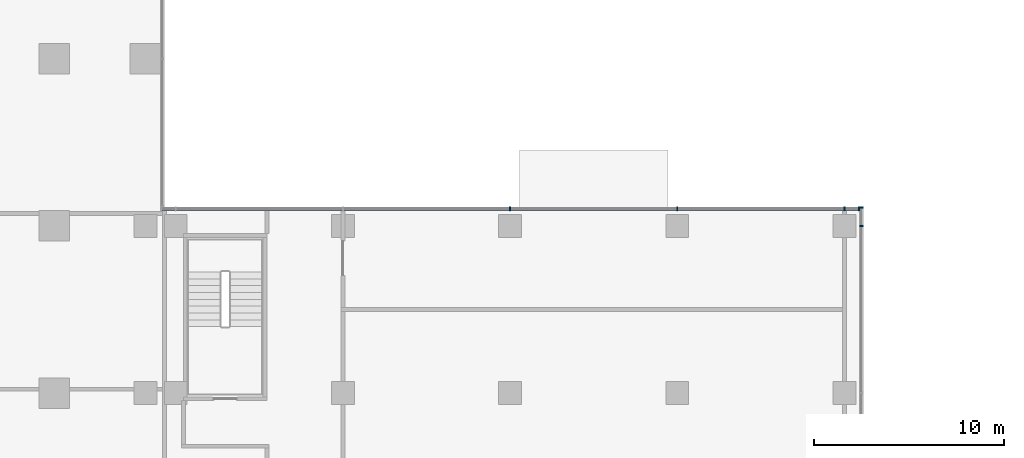
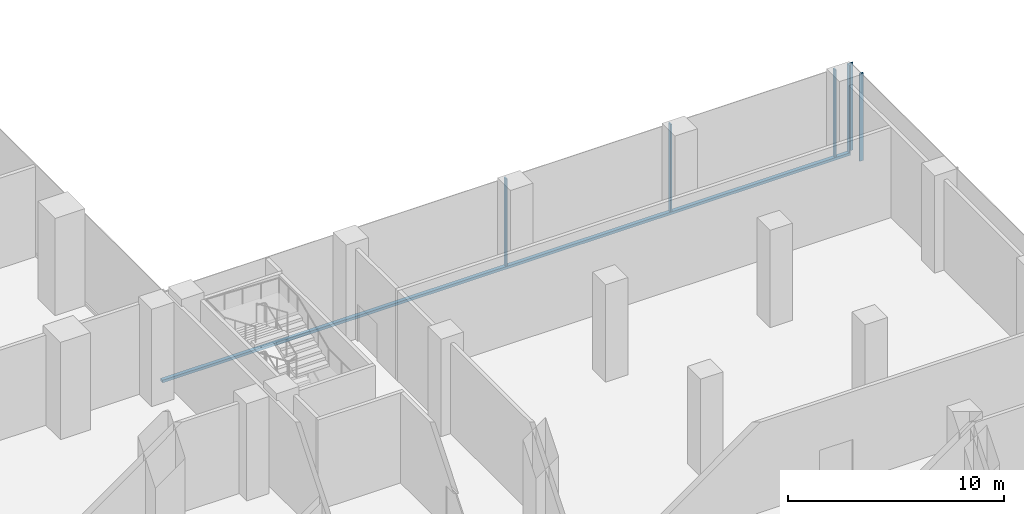
# One storey, part 9 of 30: 7 members, 2 elements without a shape of their own.
"""IFC4 building model written with IfcOpenShell, lengths in metres."""

from ifc_helpers import new_model, si_unit, direction, frame, origin, origin_2d, place, context, subcontext, project, spatial, rectangle, extrude, source, transform, mapped, material, material_profile, profile_set, type_object, element, aggregate, save


model = new_model("IFC4")

# Units and contexts
model_context = context("Model", 3, precision=1e-05, world=origin(), true_north=direction((0.0, 1.0)))
body_context = subcontext(model_context, "Body", "Model", "MODEL_VIEW")
ifc_project = project(units=[si_unit("LENGTHUNIT", "METRE"), si_unit("AREAUNIT", "SQUARE_METRE"), si_unit("VOLUMEUNIT", "CUBIC_METRE"), si_unit("PLANEANGLEUNIT", "RADIAN"), si_unit("MASSUNIT", "GRAM", prefix="KILO")], contexts=[model_context])

# Site, building, storey
site_placement = place(None, origin())
site = spatial("IfcSite", under=ifc_project, at=site_placement, CompositionType="ELEMENT")
building_placement = place(site_placement, origin())
building = spatial("IfcBuilding", under=site, at=building_placement, Name="Kemantara Hotel Tower", CompositionType="ELEMENT")
storey_placement = place(building_placement, frame((0.0, 0.0, 7.5)))
storey = spatial("IfcBuildingStorey", under=building, at=storey_placement, Name="L01", CompositionType="ELEMENT", Elevation=7.5)

# Curtain wall, member
ifc_material_1 = material(Name="Laminated tinted insulated glass 44 mm", Category="glass")
curtain_wall_type = type_object("IfcCurtainWallType", Name="PODIUM GLASS CURTAIN WALL", PredefinedType="USERDEFINED", material=ifc_material_1)
curtain_wall_1_placement = place(storey_placement, origin())
curtain_wall_1 = element("IfcCurtainWall", 1, at=curtain_wall_1_placement, inside=storey, type_object=curtain_wall_type, Name="CW1 L01 POD-R09-1", ObjectType="PODIUM GLASS CURTAIN WALL", PredefinedType="USERDEFINED")
ifc_material_2 = material(Name="Aluminium 6063-T6 bronze anodised", Category="aluminium")
ifc_material_profile_1 = material_profile(ifc_material_2, rectangle(XDim=0.199951171875, YDim=0.14990234375, at=origin_2d()), Name="PODIUM GLASS CURTAIN WALL TRANSOM")
ifc_profile_set_1 = profile_set([ifc_material_profile_1], Name="Aluminium 6063-T6 bronze anodised")
member_type_1 = type_object("IfcMemberType", Name="PODIUM GLASS CURTAIN WALL TRANSOM", PredefinedType="USERDEFINED", material=ifc_profile_set_1)
member_1_placement = place(storey_placement, frame((63.39990234375, 54.699951171875, 0.074951171875), z_axis=(-1.0, 0.0, 0.0), x_axis=(0.0, -1.0, 0.0)))
member_1 = element("IfcMember", 2, at=member_1_placement, type_object=member_type_1, Name="CW1 sill transom POD-R09-1", ObjectType="TRANSOM", PredefinedType="USERDEFINED", context=body_context, shape_type="SweptSolid", body=[
    extrude(rectangle(XDim=0.199951171875, YDim=0.14990234375, at=origin_2d()), origin(), (0.0, 0.0, 1.0), 36.7998046875),
])

# Curtain wall, members
curtain_wall_2_placement = place(storey_placement, origin())
curtain_wall_2 = element("IfcCurtainWall", 3, at=curtain_wall_2_placement, inside=storey, type_object=curtain_wall_type, Name="CW1 L01 POD-R08-1", ObjectType="PODIUM GLASS CURTAIN WALL", PredefinedType="USERDEFINED")
ifc_material_profile_2 = material_profile(ifc_material_2, rectangle(XDim=0.199951171875, YDim=0.074951171875, at=origin_2d()), Name="PODIUM GLASS CURTAIN WALL MULLION")
ifc_profile_set_2 = profile_set([ifc_material_profile_2], Name="Aluminium 6063-T6 bronze anodised")
member_type_2 = type_object("IfcMemberType", Name="PODIUM GLASS CURTAIN WALL MULLION", PredefinedType="MULLION", material=ifc_profile_set_2)
shared_shape = source(origin(), body_context, "Body", "SweptSolid", [
    extrude(rectangle(XDim=0.199951171875, YDim=0.074951171875, at=origin_2d()), origin(), (0.0, 0.0, 1.0), 4.9501953125),
])
member_2_placement = place(storey_placement, frame((63.5, 53.800048828125, 0.14990234375), z_axis=(0.0, 0.0, 1.0), x_axis=(-1.0, 0.0, 0.0)))
member_2 = element("IfcMember", 4, at=member_2_placement, type_object=member_type_2, Name="CW1 mullion POD-R08-1.5", PredefinedType="MULLION", context=body_context, shape_type="MappedRepresentation", body=[
    mapped(shared_shape, transform((0.0, 0.0, 0.0))),
])
member_3_placement = place(storey_placement, frame((63.5, 54.762451171875, 0.14990234375), z_axis=(0.0, 0.0, 1.0), x_axis=(-1.0, 0.0, 0.0)))
member_3 = element("IfcMember", 5, at=member_3_placement, type_object=member_type_2, Name="CW1 mullion POD-R08-1.6", PredefinedType="MULLION", context=body_context, shape_type="MappedRepresentation", body=[
    mapped(shared_shape, transform((0.0, 0.0, 0.0))),
])
aggregate(curtain_wall_2, [member_2, member_3])

# Member
member_4_placement = place(storey_placement, frame((63.362548828125, 54.699951171875, 0.14990234375), z_axis=(0.0, 0.0, 1.0), x_axis=(0.0, -1.0, 0.0)))
member_4 = element("IfcMember", 6, at=member_4_placement, type_object=member_type_2, Name="CW1 mullion POD-R09-1.1", PredefinedType="MULLION", context=body_context, shape_type="MappedRepresentation", body=[
    mapped(shared_shape, transform((0.0, 0.0, 0.0))),
])

member_5_placement = place(storey_placement, frame((62.60009765625, 54.699951171875, 0.14990234375), z_axis=(0.0, 0.0, 1.0), x_axis=(0.0, -1.0, 0.0)))
member_5 = element("IfcMember", 7, at=member_5_placement, type_object=member_type_2, Name="CW1 mullion POD-R09-1.2", PredefinedType="MULLION", context=body_context, shape_type="MappedRepresentation", body=[
    mapped(shared_shape, transform((0.0, 0.0, 0.0))),
])

member_6_placement = place(storey_placement, frame((53.800048828125, 54.699951171875, 0.14990234375), z_axis=(0.0, 0.0, 1.0), x_axis=(0.0, -1.0, 0.0)))
member_6 = element("IfcMember", 8, at=member_6_placement, type_object=member_type_2, Name="CW1 mullion POD-R09-1.3", PredefinedType="MULLION", context=body_context, shape_type="MappedRepresentation", body=[
    mapped(shared_shape, transform((0.0, 0.0, 0.0))),
])

member_7_placement = place(storey_placement, frame((45.0, 54.699951171875, 0.14990234375), z_axis=(0.0, 0.0, 1.0), x_axis=(0.0, -1.0, 0.0)))
member_7 = element("IfcMember", 9, at=member_7_placement, type_object=member_type_2, Name="CW1 mullion POD-R09-1.4", PredefinedType="MULLION", context=body_context, shape_type="MappedRepresentation", body=[
    mapped(shared_shape, transform((0.0, 0.0, 0.0))),
])

aggregate(curtain_wall_1, [member_1, member_4, member_5, member_6, member_7])

save(model, "model.ifc")
